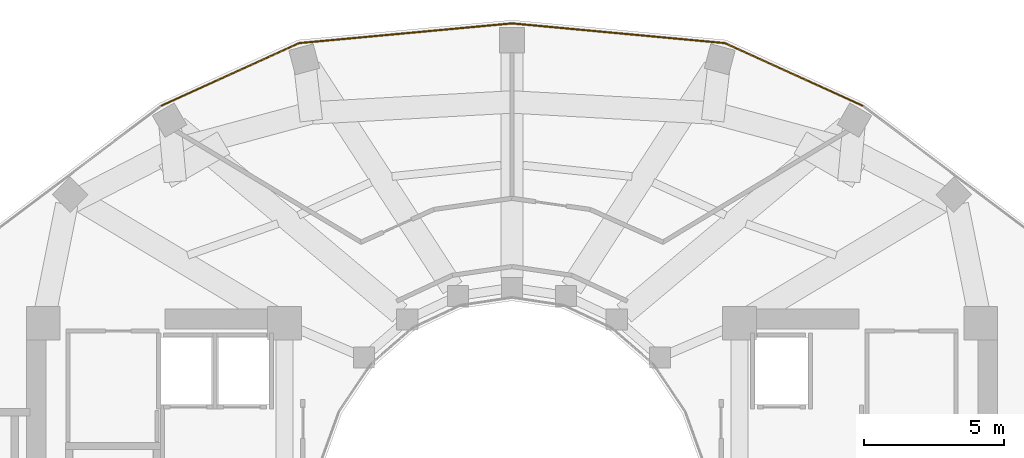
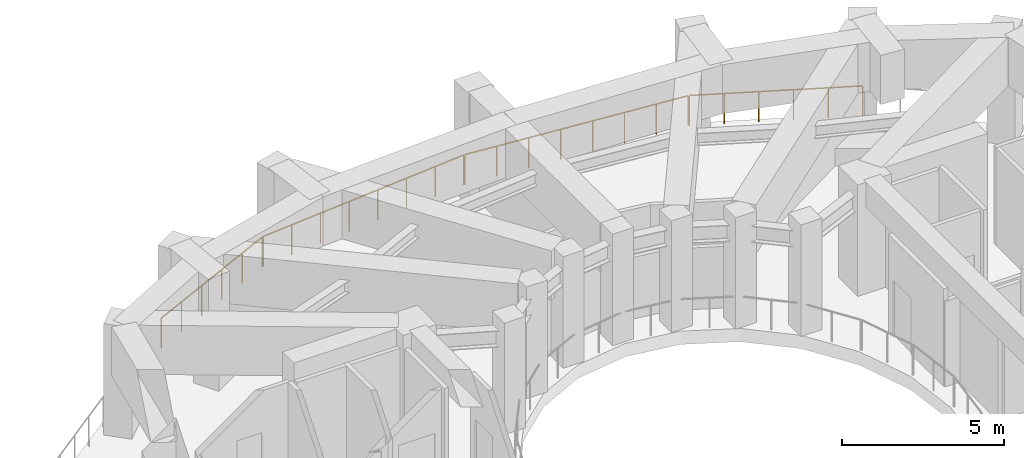
# One storey, part 9 of 9: 4 railings.
"""IFC4 building model written with IfcOpenShell, lengths in metres."""

from ifc_helpers import new_model, si_unit, direction, frame, origin, origin_2d, place, context, subcontext, project, spatial, circle, extrude, material, type_object, element, save


model = new_model("IFC4")

# Units and contexts
model_context = context("Model", 3, precision=1e-05, world=origin(), true_north=direction((0.0, 1.0)))
body_context = subcontext(model_context, "Body", "Model", "MODEL_VIEW")
ifc_project = project(units=[si_unit("LENGTHUNIT", "METRE"), si_unit("AREAUNIT", "SQUARE_METRE"), si_unit("VOLUMEUNIT", "CUBIC_METRE"), si_unit("PLANEANGLEUNIT", "RADIAN"), si_unit("MASSUNIT", "GRAM", prefix="KILO")], contexts=[model_context])

# Site, building, storey
site_placement = place(None, origin())
site = spatial("IfcSite", under=ifc_project, at=site_placement, CompositionType="ELEMENT")
building_placement = place(site_placement, origin())
building = spatial("IfcBuilding", under=site, at=building_placement, Name="Solvane Sanctuary Tower", CompositionType="ELEMENT")
storey_placement = place(building_placement, frame((0.0, 0.0, 133.199951171875)))
storey = spatial("IfcBuildingStorey", under=building, at=storey_placement, Name="L40", CompositionType="ELEMENT", Elevation=133.199951171875)

# Railings
ifc_material = material(Name="Architectural Stainless Steel 316", Category="steel")
railing_type = type_object("IfcRailingType", Name="Railing GR-BALC-1150", PredefinedType="BALUSTRADE", material=ifc_material)
railing_1_placement = place(storey_placement, frame((44.495361328125, 37.94140625, 0.0)))
element("IfcRailing", 1, at=railing_1_placement, inside=storey, type_object=railing_type, Name="L40 Open Void-Portal Perimeter Balustrade 04", PredefinedType="BALUSTRADE", context=body_context, shape_type="SweptSolid", body=[
    extrude(circle(Radius=0.02392578125, at=origin_2d()), frame((0.0, 0.0, 1.1259765625), z_axis=(-0.910029792136, 0.414542853544, 0.0), x_axis=(-0.414542853544, -0.910029792136, 0.0)), (0.0, 0.0, 1.0), 5.36865234375),
    extrude(circle(Radius=0.02099609375, at=origin_2d()), origin(), (0.0, 0.0, 1.0), 1.101806640625),
    extrude(circle(Radius=0.02099609375, at=origin_2d()), frame((-0.97705078125, 0.445068359375, 0.0)), (0.0, 0.0, 1.0), 1.101806640625),
    extrude(circle(Radius=0.02099609375, at=origin_2d()), frame((-1.954345703125, 0.89013671875, 0.0)), (0.0, 0.0, 1.0), 1.101806640625),
    extrude(circle(Radius=0.02099609375, at=origin_2d()), frame((-2.931396484375, 1.33544921875, 0.0)), (0.0, 0.0, 1.0), 1.101806640625),
    extrude(circle(Radius=0.02099609375, at=origin_2d()), frame((-3.90869140625, 1.780517578125, 0.0)), (0.0, 0.0, 1.0), 1.101806640625),
    extrude(circle(Radius=0.02099609375, at=origin_2d()), frame((-4.8857421875, 2.2255859375, 0.0)), (0.0, 0.0, 1.0), 1.101806640625),
])
railing_2_placement = place(storey_placement, frame((39.571533203125, 40.17724609375, 0.0)))
element("IfcRailing", 2, at=railing_2_placement, inside=storey, type_object=railing_type, Name="L40 Open Void-Portal Perimeter Balustrade 05", PredefinedType="BALUSTRADE", context=body_context, shape_type="SweptSolid", body=[
    extrude(circle(Radius=0.02392578125, at=origin_2d()), frame((0.0, 0.0, 1.1259765625), z_axis=(-0.995719906533, 0.092422225329, 0.0), x_axis=(-0.092422225329, -0.995719906533, 0.0)), (0.0, 0.0, 1.0), 7.583984375),
    extrude(circle(Radius=0.02099609375, at=origin_2d()), origin(), (0.0, 0.0, 1.0), 1.101806640625),
    extrude(circle(Radius=0.02099609375, at=origin_2d()), frame((-1.078857421875, 0.10009765625, 0.0)), (0.0, 0.0, 1.0), 1.101806640625),
    extrude(circle(Radius=0.02099609375, at=origin_2d()), frame((-2.157470703125, 0.2001953125, 0.0)), (0.0, 0.0, 1.0), 1.101806640625),
    extrude(circle(Radius=0.02099609375, at=origin_2d()), frame((-3.236328125, 0.30029296875, 0.0)), (0.0, 0.0, 1.0), 1.101806640625),
    extrude(circle(Radius=0.02099609375, at=origin_2d()), frame((-4.315185546875, 0.400634765625, 0.0)), (0.0, 0.0, 1.0), 1.101806640625),
    extrude(circle(Radius=0.02099609375, at=origin_2d()), frame((-5.39404296875, 0.500732421875, 0.0)), (0.0, 0.0, 1.0), 1.101806640625),
    extrude(circle(Radius=0.02099609375, at=origin_2d()), frame((-6.47265625, 0.600830078125, 0.0)), (0.0, 0.0, 1.0), 1.101806640625),
    extrude(circle(Radius=0.02099609375, at=origin_2d()), frame((-7.551513671875, 0.700927734375, 0.0)), (0.0, 0.0, 1.0), 1.101806640625),
])
railing_3_placement = place(storey_placement, frame((31.97998046875, 40.878173828125, 0.0)))
element("IfcRailing", 3, at=railing_3_placement, inside=storey, type_object=railing_type, Name="L40 Open Void-Portal Perimeter Balustrade 06", PredefinedType="BALUSTRADE", context=body_context, shape_type="SweptSolid", body=[
    extrude(circle(Radius=0.02392578125, at=origin_2d()), frame((0.0, 0.0, 1.1259765625), z_axis=(-0.995719906533, -0.092422225329, 0.0), x_axis=(0.092422225329, -0.995719906533, 0.0)), (0.0, 0.0, 1.0), 7.583984375),
    extrude(circle(Radius=0.02099609375, at=origin_2d()), origin(), (0.0, 0.0, 1.0), 1.101806640625),
    extrude(circle(Radius=0.02099609375, at=origin_2d()), frame((-1.078857421875, -0.10009765625, 0.0)), (0.0, 0.0, 1.0), 1.101806640625),
    extrude(circle(Radius=0.02099609375, at=origin_2d()), frame((-2.157470703125, -0.2001953125, 0.0)), (0.0, 0.0, 1.0), 1.101806640625),
    extrude(circle(Radius=0.02099609375, at=origin_2d()), frame((-3.236328125, -0.30029296875, 0.0)), (0.0, 0.0, 1.0), 1.101806640625),
    extrude(circle(Radius=0.02099609375, at=origin_2d()), frame((-4.315185546875, -0.400634765625, 0.0)), (0.0, 0.0, 1.0), 1.101806640625),
    extrude(circle(Radius=0.02099609375, at=origin_2d()), frame((-5.39404296875, -0.500732421875, 0.0)), (0.0, 0.0, 1.0), 1.101806640625),
    extrude(circle(Radius=0.02099609375, at=origin_2d()), frame((-6.47265625, -0.600830078125, 0.0)), (0.0, 0.0, 1.0), 1.101806640625),
    extrude(circle(Radius=0.02099609375, at=origin_2d()), frame((-7.551513671875, -0.700927734375, 0.0)), (0.0, 0.0, 1.0), 1.101806640625),
])
railing_4_placement = place(storey_placement, frame((24.390380859375, 40.1669921875, 0.0)))
element("IfcRailing", 4, at=railing_4_placement, inside=storey, type_object=railing_type, Name="L40 Open Void-Portal Perimeter Balustrade 07", PredefinedType="BALUSTRADE", context=body_context, shape_type="SweptSolid", body=[
    extrude(circle(Radius=0.02392578125, at=origin_2d()), frame((0.0, 0.0, 1.1259765625), z_axis=(-0.910029792136, -0.414542853544, 0.0), x_axis=(0.414542853544, -0.910029792136, 0.0)), (0.0, 0.0, 1.0), 5.36865234375),
    extrude(circle(Radius=0.02099609375, at=origin_2d()), origin(), (0.0, 0.0, 1.0), 1.101806640625),
    extrude(circle(Radius=0.02099609375, at=origin_2d()), frame((-0.97705078125, -0.445068359375, 0.0)), (0.0, 0.0, 1.0), 1.101806640625),
    extrude(circle(Radius=0.02099609375, at=origin_2d()), frame((-1.954345703125, -0.89013671875, 0.0)), (0.0, 0.0, 1.0), 1.101806640625),
    extrude(circle(Radius=0.02099609375, at=origin_2d()), frame((-2.931396484375, -1.33544921875, 0.0)), (0.0, 0.0, 1.0), 1.101806640625),
    extrude(circle(Radius=0.02099609375, at=origin_2d()), frame((-3.90869140625, -1.780517578125, 0.0)), (0.0, 0.0, 1.0), 1.101806640625),
    extrude(circle(Radius=0.02099609375, at=origin_2d()), frame((-4.8857421875, -2.2255859375, 0.0)), (0.0, 0.0, 1.0), 1.101806640625),
])

save(model, "model.ifc")
